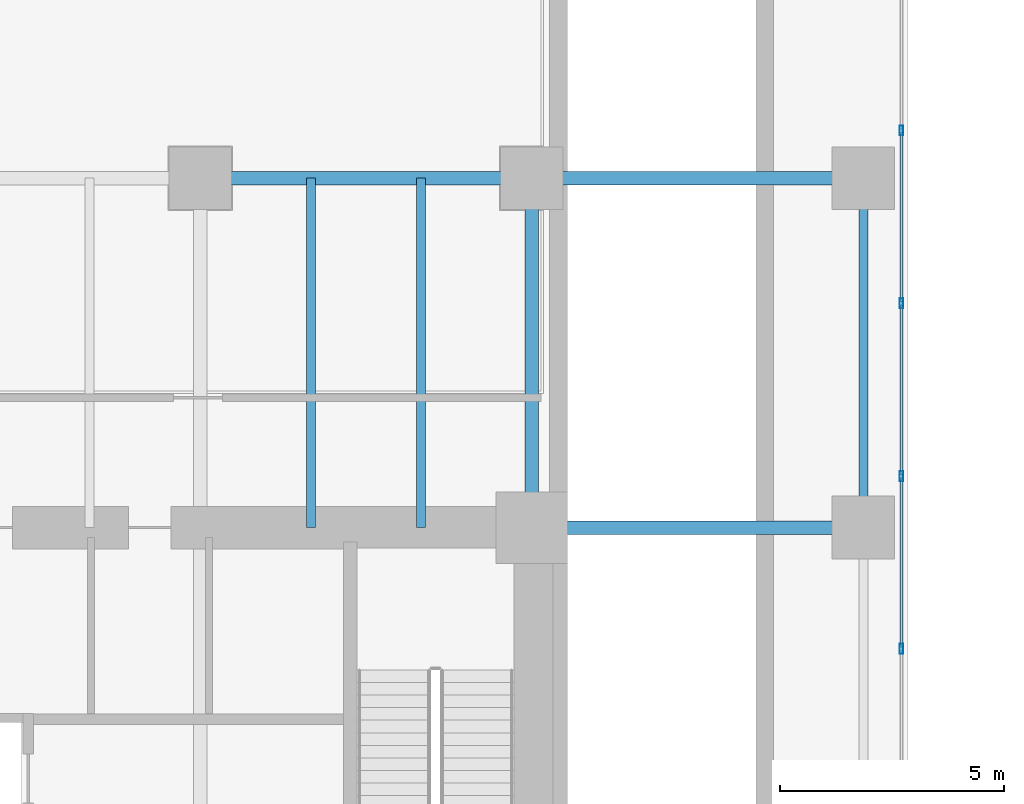
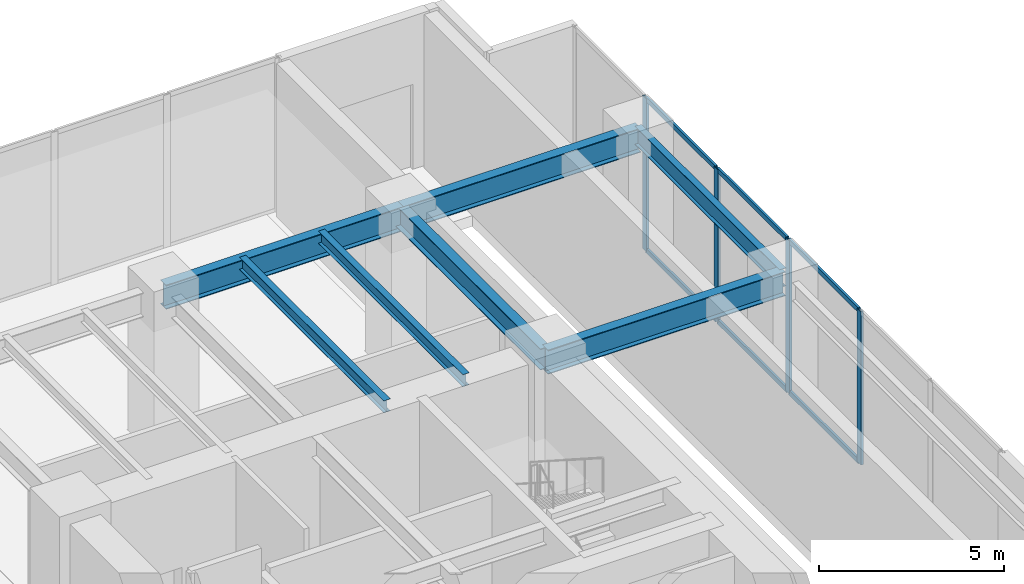
# One storey, part 16 of 28: 10 members, 7 beams, 1 element without a shape of its own.
"""IFC4 building model written with IfcOpenShell, lengths in metres."""

from ifc_helpers import new_model, si_unit, direction, frame, origin, origin_2d, place, context, subcontext, project, spatial, hollow_rectangle, i_section, extrude, source, transform, mapped, material, layer, layer_set, material_profile, profile_set, type_object, type_shapes, element, aggregate, save


model = new_model("IFC4")

# Units and contexts
model_context = context("Model", 3, precision=1e-05, world=origin(), true_north=direction((0.0, 1.0)))
body_context = subcontext(model_context, "Body", "Model", "MODEL_VIEW")
ifc_project = project(units=[si_unit("LENGTHUNIT", "METRE"), si_unit("AREAUNIT", "SQUARE_METRE"), si_unit("VOLUMEUNIT", "CUBIC_METRE"), si_unit("PLANEANGLEUNIT", "RADIAN"), si_unit("MASSUNIT", "GRAM", prefix="KILO")], contexts=[model_context])

# Site, building, storey
site_placement = place(None, origin())
site = spatial("IfcSite", under=ifc_project, at=site_placement, CompositionType="ELEMENT")
building_placement = place(site_placement, origin())
building = spatial("IfcBuilding", under=site, at=building_placement, Name="Haelvirn Gate Laboratories", CompositionType="ELEMENT")
storey_placement = place(building_placement, origin())
storey = spatial("IfcBuildingStorey", under=building, at=storey_placement, Name="L01", CompositionType="ELEMENT", Elevation=0.0)

# Beams
ifc_material_1 = material(Name="Steel SM420", Category="steel")
ifc_material_profile_1 = material_profile(ifc_material_1, i_section(OverallWidth=0.300048828125, OverallDepth=0.800048828125, WebThickness=0.013916015625, FlangeThickness=0.02587890625, at=origin_2d()), Name="H-800x300x14x26")
ifc_profile_set_1 = profile_set([ifc_material_profile_1], Name="Steel SM420")
beam_type_1 = type_object("IfcBeamType", Name="BM-G-800", PredefinedType="BEAM", material=ifc_profile_set_1)
shared_shape_1 = source(origin(), body_context, "Body", "SweptSolid", [
    extrude(i_section(OverallWidth=0.300048828125, OverallDepth=0.800048828125, WebThickness=0.013916015625, FlangeThickness=0.02587890625, at=origin_2d()), origin(), (0.0, 0.0, 1.0), 7.400146484375),
])
for number, where, z_axis, x_axis, name in (
    (1, (67.39990234375, 33.800048828125, 4.64990234375), (1.0, 0.0, 0.0), (0.0, 1.0, 0.0), "L01 Primary Girder Y33.8 (67.4-74.8)"),
    (2, (67.39990234375, 41.60009765625, 4.64990234375), (1.0, 0.0, 0.0), (0.0, 1.0, 0.0), "L01 Primary Girder Y41.6 (67.4-74.8)"),
):
    element("IfcBeam", number, at=place(storey_placement, frame(where, z_axis=z_axis, x_axis=x_axis)), inside=storey, type_object=beam_type_1, Name=name, PredefinedType="BEAM", context=body_context, shape_type="MappedRepresentation", body=[
        mapped(shared_shape_1, transform((0.0, 0.0, 0.0), scale=1.0)),
    ])
shared_shape_2 = source(origin(), body_context, "Body", "SweptSolid", [
    extrude(i_section(OverallWidth=0.300048828125, OverallDepth=0.800048828125, WebThickness=0.013916015625, FlangeThickness=0.02587890625, at=origin_2d()), origin(), (0.0, 0.0, 1.0), 7.39990234375),
])
type_shapes(beam_type_1, [shared_shape_1, shared_shape_2])
beam_1_placement = place(storey_placement, frame((60.0, 41.60009765625, 4.64990234375), z_axis=(1.0, 0.0, 0.0), x_axis=(0.0, 1.0, 0.0)))
element("IfcBeam", 3, at=beam_1_placement, inside=storey, type_object=beam_type_1, Name="L01 Primary Girder Y41.6 (60.0-67.4)", PredefinedType="BEAM", context=body_context, shape_type="MappedRepresentation", body=[
    mapped(shared_shape_2, transform((0.0, 0.0, 0.0), scale=1.0)),
])
ifc_material_2 = material(Name="Steel SM355", Category="steel")
ifc_material_profile_2 = material_profile(ifc_material_2, i_section(OverallWidth=0.199951171875, OverallDepth=0.60009765625, WebThickness=0.010986328125, FlangeThickness=0.01708984375, at=origin_2d()), Name="H-600x200x11x17")
ifc_profile_set_2 = profile_set([ifc_material_profile_2], Name="Steel SM355")
beam_type_2 = type_object("IfcBeamType", Name="BM-SP-600", PredefinedType="SPANDREL", material=ifc_profile_set_2)
shared_shape_3 = source(origin(), body_context, "Body", "SweptSolid", [
    extrude(i_section(OverallWidth=0.199951171875, OverallDepth=0.60009765625, WebThickness=0.010986328125, FlangeThickness=0.01708984375, at=origin_2d()), origin(), (0.0, 0.0, 1.0), 7.800048828125),
])
type_shapes(beam_type_2, [shared_shape_3])
beam_2_placement = place(storey_placement, frame((74.800048828125, 33.800048828125, 4.75), z_axis=(0.0, 1.0, 0.0), x_axis=(-1.0, 0.0, 0.0)))
element("IfcBeam", 4, at=beam_2_placement, inside=storey, type_object=beam_type_2, Name="L01 Perimeter Spandrel X74.8 (33.8-41.6)", PredefinedType="SPANDREL", context=body_context, shape_type="MappedRepresentation", body=[
    mapped(shared_shape_3, transform((0.0, 0.0, 0.0), scale=1.0)),
])
ifc_material_profile_3 = material_profile(ifc_material_2, i_section(OverallWidth=0.199951171875, OverallDepth=0.39990234375, WebThickness=0.008056640625, FlangeThickness=0.012939453125, at=origin_2d()), Name="H-400x200x8x13")
ifc_profile_set_3 = profile_set([ifc_material_profile_3], Name="Steel SM355")
beam_type_3 = type_object("IfcBeamType", Name="BM-J-400", PredefinedType="JOIST", material=ifc_profile_set_3)
shared_shape_4 = source(origin(), body_context, "Body", "SweptSolid", [
    extrude(i_section(OverallWidth=0.199951171875, OverallDepth=0.39990234375, WebThickness=0.008056640625, FlangeThickness=0.012939453125, at=origin_2d()), origin(), (0.0, 0.0, 1.0), 7.800048828125),
])
type_shapes(beam_type_3, [shared_shape_4])
for number, where, z_axis, x_axis, name in (
    (5, (62.469970703125, 33.800048828125, 4.85009765625), (0.0, 1.0, 0.0), (-1.0, 0.0, 0.0), "L01 Composite Lab Joist North X62.47"),
    (6, (64.929931640625, 33.800048828125, 4.85009765625), (0.0, 1.0, 0.0), (-1.0, 0.0, 0.0), "L01 Composite Lab Joist North X64.93"),
):
    element("IfcBeam", number, at=place(storey_placement, frame(where, z_axis=z_axis, x_axis=x_axis)), inside=storey, type_object=beam_type_3, Name=name, PredefinedType="JOIST", context=body_context, shape_type="MappedRepresentation", body=[
        mapped(shared_shape_4, transform((0.0, 0.0, 0.0), scale=1.0)),
    ])
ifc_material_profile_4 = material_profile(ifc_material_2, i_section(OverallWidth=0.300048828125, OverallDepth=0.699951171875, WebThickness=0.012939453125, FlangeThickness=0.02392578125, at=origin_2d()), Name="H-700x300x13x24")
ifc_profile_set_4 = profile_set([ifc_material_profile_4], Name="Steel SM355")
beam_type_4 = type_object("IfcBeamType", Name="BM-G-700", PredefinedType="BEAM", material=ifc_profile_set_4)
shared_shape_5 = source(origin(), body_context, "Body", "SweptSolid", [
    extrude(i_section(OverallWidth=0.300048828125, OverallDepth=0.699951171875, WebThickness=0.012939453125, FlangeThickness=0.02392578125, at=origin_2d()), origin(), (0.0, 0.0, 1.0), 7.800048828125),
])
type_shapes(beam_type_4, [shared_shape_5])
beam_3_placement = place(storey_placement, frame((67.39990234375, 33.800048828125, 4.699951171875), z_axis=(0.0, 1.0, 0.0), x_axis=(-1.0, 0.0, 0.0)))
element("IfcBeam", 7, at=beam_3_placement, inside=storey, type_object=beam_type_4, Name="L01 Frame Girder X67.4 (33.8-41.6)", PredefinedType="BEAM", context=body_context, shape_type="MappedRepresentation", body=[
    mapped(shared_shape_5, transform((0.0, 0.0, 0.0), scale=1.0)),
])

# Curtain wall, members
ifc_material_3 = material(Name="Anodised bronze unitised aluminium & triple low-E glass", Category="aluminium")
ifc_layer = layer(ifc_material_3, 0.18798828125, Name="CW-SYS-1")
ifc_layer_set = layer_set([ifc_layer], Name="Anodised bronze unitised aluminium & triple low-E glass")
curtain_wall_type = type_object("IfcCurtainWallType", Name="CW-SYS-1", PredefinedType="NOTDEFINED", material=ifc_layer_set)
curtain_wall_placement = place(storey_placement, origin())
curtain_wall = element("IfcCurtainWall", 8, at=curtain_wall_placement, inside=storey, type_object=curtain_wall_type, Name="L01 Unitised Curtain Wall CW-L01-EN", PredefinedType="NOTDEFINED")
ifc_material_4 = material(Name="Extruded aluminium 6063-T6 (anodised bronze)", Category="aluminium")
ifc_material_profile_5 = material_profile(ifc_material_4, hollow_rectangle(XDim=0.080078125, YDim=0.219970703125, WallThickness=0.006103515625, at=origin_2d()), Name="CWM-220x80x6")
ifc_profile_set_5 = profile_set([ifc_material_profile_5], Name="Extruded aluminium 6063-T6 (anodised bronze)")
member_type_1 = type_object("IfcMemberType", Name="CWM-T220", PredefinedType="MULLION", material=ifc_profile_set_5)
shared_shape_6 = source(origin(), body_context, "Body", "SweptSolid", [
    extrude(hollow_rectangle(XDim=0.080078125, YDim=0.219970703125, WallThickness=0.006103515625, at=origin_2d()), origin(), (0.0, 0.0, 1.0), 5.050048828125),
])
type_shapes(member_type_1, [shared_shape_6])
member_1_placement = place(storey_placement, frame((75.64990234375, 31.09326171875, 0.0), z_axis=(0.0, 0.0, 1.0), x_axis=(-1.0, 0.0, 0.0)))
member_1 = element("IfcMember", 9, at=member_1_placement, type_object=member_type_1, Name="CW1 mullion 3", PredefinedType="MULLION", context=body_context, shape_type="MappedRepresentation", body=[
    mapped(shared_shape_6, transform((0.0, 0.0, 0.0), scale=1.0)),
])
member_2_placement = place(storey_placement, frame((75.64990234375, 34.949951171875, 0.0), z_axis=(0.0, 0.0, 1.0), x_axis=(-1.0, 0.0, 0.0)))
member_2 = element("IfcMember", 10, at=member_2_placement, type_object=member_type_1, Name="CW1 mullion 4", PredefinedType="MULLION", context=body_context, shape_type="MappedRepresentation", body=[
    mapped(shared_shape_6, transform((0.0, 0.0, 0.0), scale=1.0)),
])
member_3_placement = place(storey_placement, frame((75.64990234375, 38.806640625, 0.0), z_axis=(0.0, 0.0, 1.0), x_axis=(-1.0, 0.0, 0.0)))
member_3 = element("IfcMember", 11, at=member_3_placement, type_object=member_type_1, Name="CW1 mullion 5", PredefinedType="MULLION", context=body_context, shape_type="MappedRepresentation", body=[
    mapped(shared_shape_6, transform((0.0, 0.0, 0.0), scale=1.0)),
])
member_4_placement = place(storey_placement, frame((75.64990234375, 42.663330078125, 0.0), z_axis=(0.0, 0.0, 1.0), x_axis=(-1.0, 0.0, 0.0)))
member_4 = element("IfcMember", 12, at=member_4_placement, type_object=member_type_1, Name="CW1 mullion 6", PredefinedType="MULLION", context=body_context, shape_type="MappedRepresentation", body=[
    mapped(shared_shape_6, transform((0.0, 0.0, 0.0), scale=1.0)),
])
ifc_material_profile_6 = material_profile(ifc_material_4, hollow_rectangle(XDim=0.070068359375, YDim=0.159912109375, WallThickness=0.0048828125, at=origin_2d()), Name="CWT-160x70x5")
ifc_profile_set_6 = profile_set([ifc_material_profile_6], Name="Extruded aluminium 6063-T6 (anodised bronze)")
member_type_2 = type_object("IfcMemberType", Name="CWT-T160", PredefinedType="USERDEFINED", material=ifc_profile_set_6)
shared_shape_7 = source(origin(), body_context, "Body", "SweptSolid", [
    extrude(hollow_rectangle(XDim=0.070068359375, YDim=0.159912109375, WallThickness=0.0048828125, at=origin_2d()), origin(), (0.0, 0.0, 1.0), 3.776611328125),
])
type_shapes(member_type_2, [shared_shape_7])
member_5_placement = place(storey_placement, frame((75.64990234375, 31.13330078125, 0.034912109375), z_axis=(0.0, 1.0, 0.0), x_axis=(-1.0, 0.0, 0.0)))
member_5 = element("IfcMember", 13, at=member_5_placement, type_object=member_type_2, Name="CW1 transom 3.1", ObjectType="TRANSOM", PredefinedType="USERDEFINED", context=body_context, shape_type="MappedRepresentation", body=[
    mapped(shared_shape_7, transform((0.0, 0.0, 0.0), scale=1.0)),
])
member_6_placement = place(storey_placement, frame((75.64990234375, 31.13330078125, 5.014892578125), z_axis=(0.0, 1.0, 0.0), x_axis=(-1.0, 0.0, 0.0)))
member_6 = element("IfcMember", 14, at=member_6_placement, type_object=member_type_2, Name="CW1 transom 3.2", ObjectType="TRANSOM", PredefinedType="USERDEFINED", context=body_context, shape_type="MappedRepresentation", body=[
    mapped(shared_shape_7, transform((0.0, 0.0, 0.0), scale=1.0)),
])
member_7_placement = place(storey_placement, frame((75.64990234375, 34.989990234375, 0.034912109375), z_axis=(0.0, 1.0, 0.0), x_axis=(-1.0, 0.0, 0.0)))
member_7 = element("IfcMember", 15, at=member_7_placement, type_object=member_type_2, Name="CW1 transom 4.1", ObjectType="TRANSOM", PredefinedType="USERDEFINED", context=body_context, shape_type="MappedRepresentation", body=[
    mapped(shared_shape_7, transform((0.0, 0.0, 0.0), scale=1.0)),
])
member_8_placement = place(storey_placement, frame((75.64990234375, 34.989990234375, 5.014892578125), z_axis=(0.0, 1.0, 0.0), x_axis=(-1.0, 0.0, 0.0)))
member_8 = element("IfcMember", 16, at=member_8_placement, type_object=member_type_2, Name="CW1 transom 4.2", ObjectType="TRANSOM", PredefinedType="USERDEFINED", context=body_context, shape_type="MappedRepresentation", body=[
    mapped(shared_shape_7, transform((0.0, 0.0, 0.0), scale=1.0)),
])
member_9_placement = place(storey_placement, frame((75.64990234375, 38.8466796875, 0.034912109375), z_axis=(0.0, 1.0, 0.0), x_axis=(-1.0, 0.0, 0.0)))
member_9 = element("IfcMember", 17, at=member_9_placement, type_object=member_type_2, Name="CW1 transom 5.1", ObjectType="TRANSOM", PredefinedType="USERDEFINED", context=body_context, shape_type="MappedRepresentation", body=[
    mapped(shared_shape_7, transform((0.0, 0.0, 0.0), scale=1.0)),
])
member_10_placement = place(storey_placement, frame((75.64990234375, 38.8466796875, 5.014892578125), z_axis=(0.0, 1.0, 0.0), x_axis=(-1.0, 0.0, 0.0)))
member_10 = element("IfcMember", 18, at=member_10_placement, type_object=member_type_2, Name="CW1 transom 5.2", ObjectType="TRANSOM", PredefinedType="USERDEFINED", context=body_context, shape_type="MappedRepresentation", body=[
    mapped(shared_shape_7, transform((0.0, 0.0, 0.0), scale=1.0)),
])
aggregate(curtain_wall, [member_1, member_2, member_3, member_4, member_5, member_6, member_7, member_8, member_9, member_10])

save(model, "model.ifc")
